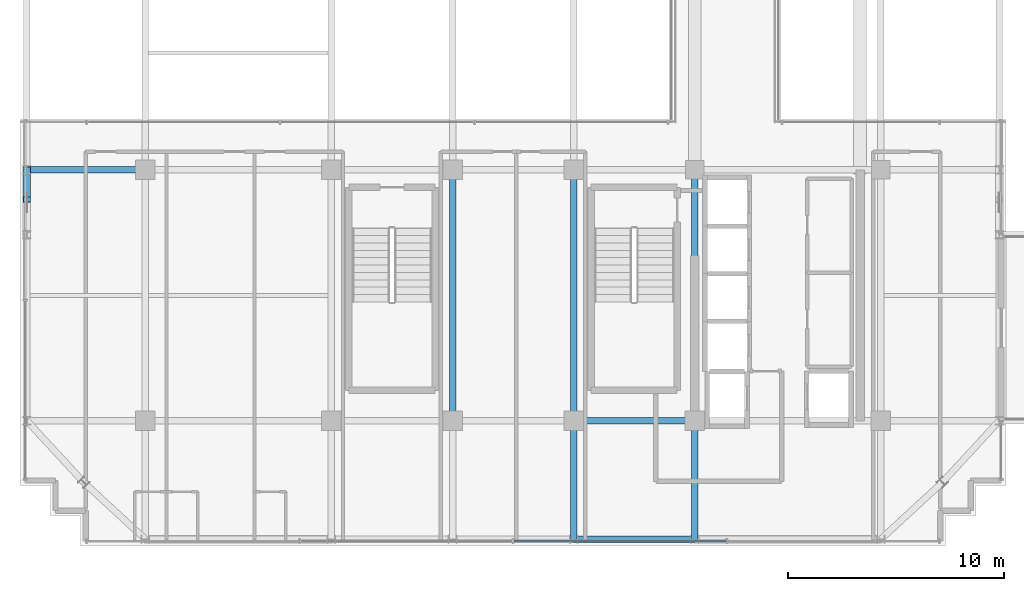
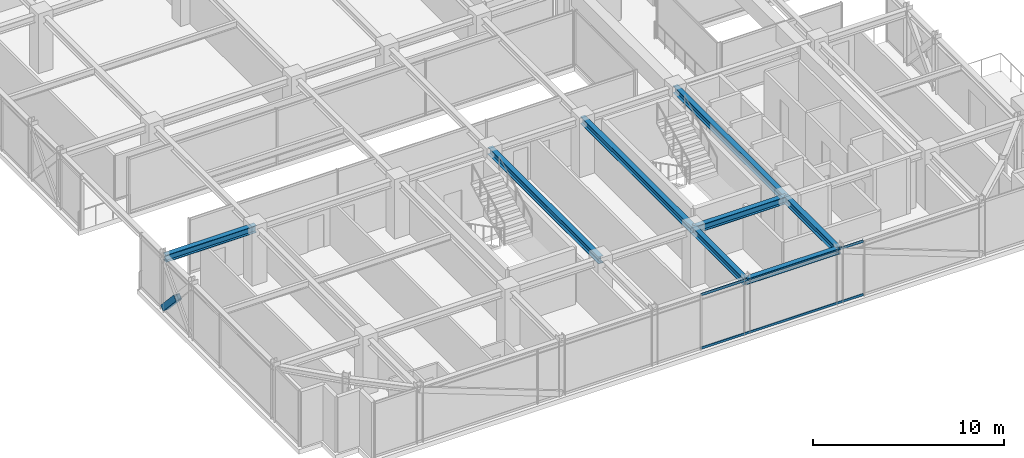
# One storey, part 9 of 39: 8 beams, 3 members, 1 element without a shape of its own.
"""IFC4 building model written with IfcOpenShell, lengths in metres."""

from ifc_helpers import new_model, si_unit, direction, frame, origin, origin_2d, place, context, subcontext, project, spatial, hollow_rectangle, i_section, extrude, source, transform, mapped, material, material_profile, profile_set, type_object, element, aggregate, save


model = new_model("IFC4")

# Units and contexts
model_context = context("Model", 3, precision=1e-05, world=origin(), true_north=direction((0.0, 1.0)))
body_context = subcontext(model_context, "Body", "Model", "MODEL_VIEW")
ifc_project = project(units=[si_unit("LENGTHUNIT", "METRE"), si_unit("AREAUNIT", "SQUARE_METRE"), si_unit("VOLUMEUNIT", "CUBIC_METRE"), si_unit("PLANEANGLEUNIT", "RADIAN"), si_unit("MASSUNIT", "GRAM", prefix="KILO")], contexts=[model_context])

# Site, building, storey
site_placement = place(None, origin())
site = spatial("IfcSite", under=ifc_project, at=site_placement, CompositionType="ELEMENT")
building_placement = place(site_placement, origin())
building = spatial("IfcBuilding", under=site, at=building_placement, Name="Nahalor Promenade Grand Hotel", CompositionType="ELEMENT")
storey_placement = place(building_placement, frame((0.0, 0.0, 311.89990234375)))
storey = spatial("IfcBuildingStorey", under=building, at=storey_placement, Name="L80", CompositionType="ELEMENT", Elevation=311.89990234375)

# Beams
ifc_material_1 = material(Name="Steel S355JR", Category="steel")
ifc_material_profile_1 = material_profile(ifc_material_1, i_section(OverallWidth=0.3, OverallDepth=0.45, WebThickness=0.014, FlangeThickness=0.026, at=origin_2d()), Name="HEB 450")
ifc_profile_set_1 = profile_set([ifc_material_profile_1], Name="Steel S355JR")
beam_type_1 = type_object("IfcBeamType", Name="Beam-Girder-HEB450", PredefinedType="BEAM", material=ifc_profile_set_1)
shared_shape_1 = source(origin(), body_context, "Body", "SweptSolid", [
    extrude(i_section(OverallWidth=0.3, OverallDepth=0.45, WebThickness=0.014, FlangeThickness=0.026, at=origin_2d()), origin(), (0.0, 0.0, 1.0), 5.599853515625),
])
beam_1_placement = place(storey_placement, frame((2.800048828125, -17.0, 3.3251953125), z_axis=(1.0, 0.0, 0.0), x_axis=(0.0, 1.0, 0.0)))
element("IfcBeam", 1, at=beam_1_placement, inside=storey, type_object=beam_type_1, Name="BM-L80-GX-0-4", PredefinedType="BEAM", context=body_context, shape_type="MappedRepresentation", body=[
    mapped(shared_shape_1, transform((0.0, 0.0, 0.0), scale=1.0)),
])
shared_shape_2 = source(origin(), body_context, "Body", "SweptSolid", [
    extrude(i_section(OverallWidth=0.3, OverallDepth=0.45, WebThickness=0.014, FlangeThickness=0.026, at=origin_2d()), origin(), (0.0, 0.0, 1.0), 11.60009765625),
])
for number, where, z_axis, x_axis, name in (
    (2, (-2.800048828125, -17.0, 3.3251953125), (0.0, 1.0, 0.0), (-1.0, 0.0, 0.0), "BM-L80-GY-2-1"),
    (3, (2.800048828125, -17.0, 3.3251953125), (0.0, 1.0, 0.0), (-1.0, 0.0, 0.0), "BM-L80-GY-3-1"),
    (4, (8.39990234375, -17.0, 3.3251953125), (0.0, 1.0, 0.0), (-1.0, 0.0, 0.0), "BM-L80-GY-4-1"),
):
    element("IfcBeam", number, at=place(storey_placement, frame(where, z_axis=z_axis, x_axis=x_axis)), inside=storey, type_object=beam_type_1, Name=name, PredefinedType="BEAM", context=body_context, shape_type="MappedRepresentation", body=[
        mapped(shared_shape_2, transform((0.0, 0.0, 0.0), scale=1.0)),
    ])
shared_shape_3 = source(origin(), body_context, "Body", "SweptSolid", [
    extrude(i_section(OverallWidth=0.3, OverallDepth=0.45, WebThickness=0.014, FlangeThickness=0.026, at=origin_2d()), origin(), (0.0, 0.0, 1.0), 5.47998046875),
])
for number, where, z_axis, x_axis, name in (
    (5, (-22.47998046875, -5.39990234375, 3.3251953125), (1.0, 0.0, 0.0), (0.0, 1.0, 0.0), "BM-L80-GX-1-0"),
    (6, (2.800048828125, -22.47998046875, 3.3251953125), (0.0, 1.0, 0.0), (-1.0, 0.0, 0.0), "BM-L80-GY-3-0"),
    (7, (8.39990234375, -22.47998046875, 3.3251953125), (0.0, 1.0, 0.0), (-1.0, 0.0, 0.0), "BM-L80-GY-4-0"),
):
    element("IfcBeam", number, at=place(storey_placement, frame(where, z_axis=z_axis, x_axis=x_axis)), inside=storey, type_object=beam_type_1, Name=name, PredefinedType="BEAM", context=body_context, shape_type="MappedRepresentation", body=[
        mapped(shared_shape_3, transform((0.0, 0.0, 0.0), scale=1.0)),
    ])
ifc_material_profile_2 = material_profile(ifc_material_1, i_section(OverallWidth=0.3, OverallDepth=0.36, WebThickness=0.0125, FlangeThickness=0.0225, at=origin_2d()), Name="HEB 360")
ifc_profile_set_2 = profile_set([ifc_material_profile_2], Name="Steel S355JR")
beam_type_2 = type_object("IfcBeamType", Name="Beam-Spandrel-HEB360", PredefinedType="SPANDREL", material=ifc_profile_set_2)
shared_shape_4 = source(origin(), body_context, "Body", "SweptSolid", [
    extrude(i_section(OverallWidth=0.3, OverallDepth=0.36, WebThickness=0.0125, FlangeThickness=0.0225, at=origin_2d()), origin(), (0.0, 0.0, 1.0), 5.599853515625),
])
beam_2_placement = place(storey_placement, frame((2.800048828125, -22.47998046875, 3.3701171875), z_axis=(1.0, 0.0, 0.0), x_axis=(0.0, 1.0, 0.0)))
element("IfcBeam", 8, at=beam_2_placement, inside=storey, type_object=beam_type_2, Name="BM-L80-SP-S-3", PredefinedType="SPANDREL", context=body_context, shape_type="MappedRepresentation", body=[
    mapped(shared_shape_4, transform((0.0, 0.0, 0.0), scale=1.0)),
])

# Member
ifc_material_profile_3 = material_profile(ifc_material_1, hollow_rectangle(XDim=0.35, YDim=0.35, WallThickness=0.02, at=origin_2d()), Name="SHS 350x350x20")
ifc_profile_set_3 = profile_set([ifc_material_profile_3], Name="Steel S355JR")
member_type_1 = type_object("IfcMemberType", Name="Mem-VoidBrace-SHS350", PredefinedType="BRACE", material=ifc_profile_set_3)
shared_shape_5 = source(origin(), body_context, "Body", "SweptSolid", [
    extrude(hollow_rectangle(XDim=0.35, YDim=0.35, WallThickness=0.02, at=origin_2d()), origin(), (0.0, 0.0, 1.0), 2.02392578125),
])
member_1_placement = place(storey_placement, frame((-22.47998046875, -5.39990234375, 0.150146484375), z_axis=(0.0, -0.678315173958, 0.734771069639), x_axis=(1.0, 0.0, 0.0)))
element("IfcMember", 9, at=member_1_placement, inside=storey, type_object=member_type_1, Name="EXO-L80-VX2-W0A", PredefinedType="BRACE", context=body_context, shape_type="MappedRepresentation", body=[
    mapped(shared_shape_5, transform((0.0, 0.0, 0.0), scale=1.0)),
])

# Curtain wall, members
ifc_material_2 = material(Name="Anodised Bronze Aluminium EN AW-6063 T6", Category="aluminium")
curtain_wall_type = type_object("IfcCurtainWallType", Name="CW3 Elliptical-Void Collar Unitised Curtain Wall", PredefinedType="USERDEFINED", material=ifc_material_2)
curtain_wall_placement = place(storey_placement, origin())
curtain_wall = element("IfcCurtainWall", 10, at=curtain_wall_placement, inside=storey, type_object=curtain_wall_type, Name="L80 Curtain Wall CW-L80-S-1", ObjectType="UNITISED_CURTAIN_WALL", PredefinedType="USERDEFINED")
ifc_material_profile_4 = material_profile(ifc_material_2, hollow_rectangle(XDim=0.07, YDim=0.14, WallThickness=0.004, at=origin_2d()), Name="CWT 70x140x4")
ifc_profile_set_4 = profile_set([ifc_material_profile_4], Name="Anodised Bronze Aluminium EN AW-6063 T6")
member_type_2 = type_object("IfcMemberType", Name="CWT3 Void Collar Transom 70x140", PredefinedType="USERDEFINED", material=ifc_profile_set_4)
shared_shape_6 = source(origin(), body_context, "Body", "SweptSolid", [
    extrude(hollow_rectangle(XDim=0.07, YDim=0.14, WallThickness=0.004, at=origin_2d()), origin(), (0.0, 0.0, 1.0), 9.81005859375),
])
member_2_placement = place(storey_placement, frame((0.034912109375, -22.56005859375, 0.070068359375), z_axis=(1.0, 0.0, 0.0), x_axis=(0.0, 1.0, 0.0)))
member_2 = element("IfcMember", 11, at=member_2_placement, type_object=member_type_2, Name="CW-L80-S-1 Transom 2-0", ObjectType="TRANSOM", PredefinedType="USERDEFINED", context=body_context, shape_type="MappedRepresentation", body=[
    mapped(shared_shape_6, transform((0.0, 0.0, 0.0), scale=1.0)),
])
member_3_placement = place(storey_placement, frame((0.034912109375, -22.56005859375, 3.47998046875), z_axis=(1.0, 0.0, 0.0), x_axis=(0.0, 1.0, 0.0)))
member_3 = element("IfcMember", 12, at=member_3_placement, type_object=member_type_2, Name="CW-L80-S-1 Transom 2-1", ObjectType="TRANSOM", PredefinedType="USERDEFINED", context=body_context, shape_type="MappedRepresentation", body=[
    mapped(shared_shape_6, transform((0.0, 0.0, 0.0), scale=1.0)),
])
aggregate(curtain_wall, [member_2, member_3])

save(model, "model.ifc")
